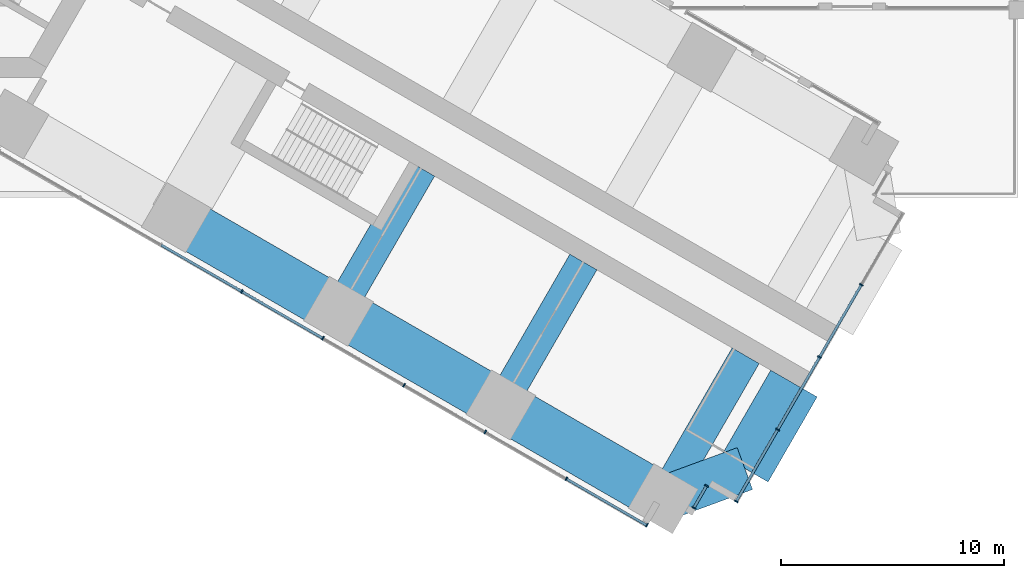
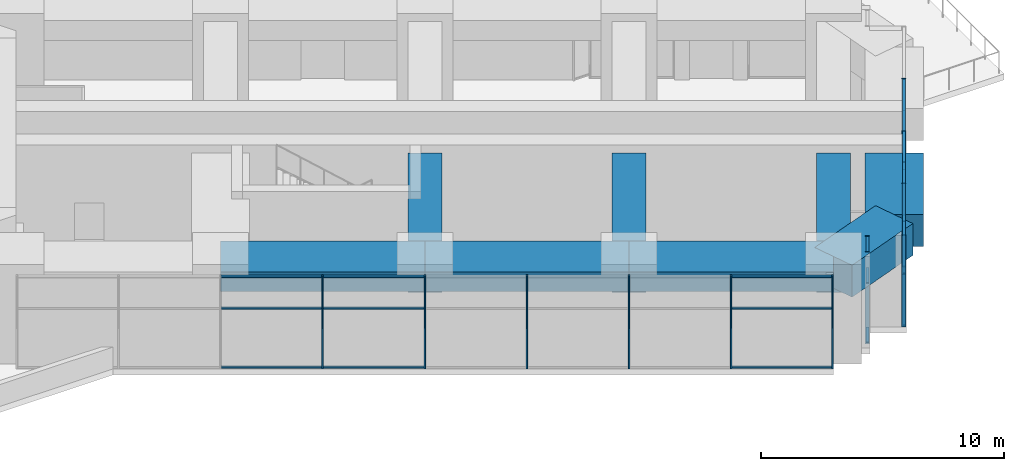
# One storey, part 11 of 33: 33 members, 8 beams, 3 elements without a shape of their own.
"""IFC4 building model written with IfcOpenShell, lengths in metres."""

from ifc_helpers import new_model, si_unit, direction, frame, origin, origin_2d, place, context, subcontext, project, spatial, rectangle, extrude, material, material_profile, profile_set, type_object, element, aggregate, save


model = new_model("IFC4")

# Units and contexts
model_context = context("Model", 3, precision=1e-05, world=origin(), true_north=direction((0.0, 1.0)))
body_context = subcontext(model_context, "Body", "Model", "MODEL_VIEW")
ifc_project = project(units=[si_unit("LENGTHUNIT", "METRE"), si_unit("AREAUNIT", "SQUARE_METRE"), si_unit("VOLUMEUNIT", "CUBIC_METRE"), si_unit("PLANEANGLEUNIT", "RADIAN"), si_unit("MASSUNIT", "GRAM", prefix="KILO")], contexts=[model_context])

# Site, building, storey
site_placement = place(None, origin())
site = spatial("IfcSite", under=ifc_project, at=site_placement, CompositionType="ELEMENT")
building_placement = place(site_placement, origin())
building = spatial("IfcBuilding", under=site, at=building_placement, Name="Impinga Residences", CompositionType="ELEMENT")
storey_placement = place(building_placement, frame((0.0, 0.0, 21.0)))
storey = spatial("IfcBuildingStorey", under=building, at=storey_placement, Name="L04", CompositionType="ELEMENT", Elevation=21.0)

# Beams
ifc_material_1 = material(Name="Concrete C60/75", Category="concrete")
ifc_material_profile_1 = material_profile(ifc_material_1, rectangle(XDim=2.0, YDim=1.60009765625, at=origin_2d()), Name="RC 2000x1600")
ifc_profile_set_1 = profile_set([ifc_material_profile_1], Name="Concrete C60/75")
beam_type_1 = type_object("IfcBeamType", Name="CB2 2000x1600 wing end cantilever beam", PredefinedType="BEAM", material=ifc_profile_set_1)
beam_1_placement = place(storey_placement, frame((34.49853515625, -30.31005859375, 3.800048828125), z_axis=(0.938520178725, 0.345224382289, 0.0), x_axis=(-0.345224382289, 0.938520178725, 0.0)))
element("IfcBeam", 1, at=beam_1_placement, inside=storey, type_object=beam_type_1, Name="Beam CB2 EE E5-EX level L05", PredefinedType="BEAM", context=body_context, shape_type="SweptSolid", body=[
    extrude(rectangle(XDim=2.0, YDim=1.60009765625, at=origin_2d()), origin(), (0.0, 0.0, 1.0), 3.905029296875),
])
ifc_material_profile_2 = material_profile(ifc_material_1, rectangle(XDim=1.39990234375, YDim=1.800048828125, at=origin_2d()), Name="RC 1400x1800")
ifc_profile_set_2 = profile_set([ifc_material_profile_2], Name="Concrete C60/75")
beam_type_2 = type_object("IfcBeamType", Name="CG4 1400x1800 cross girder on a wing bay line under the podium floors", PredefinedType="BEAM", material=ifc_profile_set_2)
beam_2_placement = place(storey_placement, frame((23.649169921875, -15.50146484375, 3.699951171875), z_axis=(-0.500003285667, -0.866023506795, 0.0), x_axis=(0.866023506795, -0.500003285667, 0.0)))
element("IfcBeam", 2, at=beam_2_placement, inside=storey, type_object=beam_type_2, Name="Beam CG4 E3 EC/EF level L05", PredefinedType="BEAM", context=body_context, shape_type="SweptSolid", body=[
    extrude(rectangle(XDim=1.39990234375, YDim=1.800048828125, at=origin_2d()), origin(), (0.0, 0.0, 1.0), 7.39990234375),
])
for number, where, z_axis, x_axis, name in (
    (3, (30.923828125, -19.701416015625, 3.699951171875), (-0.499988999718, -0.866031754707, 0.0), (0.866031754707, -0.499988999718, 0.0), "Beam CG4 E4 EC/EF level L05"),
    (4, (38.198486328125, -23.9013671875, 3.699951171875), (-0.499988999718, -0.866031754707, 0.0), (0.866031754707, -0.499988999718, 0.0), "Beam CG4 E5 EC/EF level L05"),
):
    element("IfcBeam", number, at=place(storey_placement, frame(where, z_axis=z_axis, x_axis=x_axis)), inside=storey, type_object=beam_type_2, Name=name, PredefinedType="BEAM", context=body_context, shape_type="SweptSolid", body=[
        extrude(rectangle(XDim=1.39990234375, YDim=1.800048828125, at=origin_2d()), origin(), (0.0, 0.0, 1.0), 7.400146484375),
    ])

# Curtain wall, members
ifc_material_2 = material(Name="Aluminium stick curtain wall", Category="aluminium")
curtain_wall_type = type_object("IfcCurtainWallType", Name="CW1 podium amenity curtain wall", PredefinedType="USERDEFINED", material=ifc_material_2)
curtain_wall_1_placement = place(storey_placement, origin())
curtain_wall_1 = element("IfcCurtainWall", 5, at=curtain_wall_1_placement, inside=storey, type_object=curtain_wall_type, Name="Curtain wall CW1 L04", ObjectType="STICK CURTAIN WALL", PredefinedType="USERDEFINED")
ifc_material_3 = material(Name="Aluminium mullion", Category="aluminium")
ifc_material_profile_3 = material_profile(ifc_material_3, rectangle(XDim=0.06005859375, YDim=0.179931640625, at=origin_2d()), Name="60x180 mullion")
ifc_profile_set_3 = profile_set([ifc_material_profile_3], Name="Aluminium mullion")
member_type_1 = type_object("IfcMemberType", Name="CW1-M mullion 60x180", PredefinedType="MULLION", material=ifc_profile_set_3)
member_1_placement = place(storey_placement, frame((43.385009765625, -20.71826171875, 0.0), z_axis=(0.0, 0.0, 1.0), x_axis=(-0.500000001632, -0.866025402842, 0.0)))
member_1 = element("IfcMember", 6, at=member_1_placement, type_object=member_type_1, Name="CW1 mullion 2", PredefinedType="MULLION", context=body_context, shape_type="SweptSolid", body=[
    extrude(rectangle(XDim=0.06005859375, YDim=0.179931640625, at=origin_2d()), origin(), (0.0, 0.0, 1.0), 4.60009765625),
])
member_2_placement = place(storey_placement, frame((41.510009765625, -23.9658203125, 0.0), z_axis=(0.0, 0.0, 1.0), x_axis=(-0.500000001632, -0.866025402842, 0.0)))
member_2 = element("IfcMember", 7, at=member_2_placement, type_object=member_type_1, Name="CW1 mullion 3", PredefinedType="MULLION", context=body_context, shape_type="SweptSolid", body=[
    extrude(rectangle(XDim=0.06005859375, YDim=0.179931640625, at=origin_2d()), origin(), (0.0, 0.0, 1.0), 4.60009765625),
])
member_3_placement = place(storey_placement, frame((39.635009765625, -27.21337890625, 0.0), z_axis=(0.0, 0.0, 1.0), x_axis=(-0.500000001632, -0.866025402842, 0.0)))
member_3 = element("IfcMember", 8, at=member_3_placement, type_object=member_type_1, Name="CW1 mullion 4", PredefinedType="MULLION", context=body_context, shape_type="SweptSolid", body=[
    extrude(rectangle(XDim=0.06005859375, YDim=0.179931640625, at=origin_2d()), origin(), (0.0, 0.0, 1.0), 4.60009765625),
])
member_4_placement = place(storey_placement, frame((37.77490234375, -30.43505859375, 0.0), z_axis=(0.0, 0.0, 1.0), x_axis=(-0.500000001632, -0.866025402842, 0.0)))
member_4 = element("IfcMember", 9, at=member_4_placement, type_object=member_type_1, Name="CW1 mullion 5", PredefinedType="MULLION", context=body_context, shape_type="SweptSolid", body=[
    extrude(rectangle(XDim=0.06005859375, YDim=0.179931640625, at=origin_2d()), origin(), (0.0, 0.0, 1.0), 4.60009765625),
])

curtain_wall_2_placement = place(storey_placement, origin())
curtain_wall_2 = element("IfcCurtainWall", 10, at=curtain_wall_2_placement, inside=storey, type_object=curtain_wall_type, Name="Curtain wall CW1 L04", ObjectType="STICK CURTAIN WALL", PredefinedType="USERDEFINED")
member_5_placement = place(storey_placement, frame((36.44580078125, -29.737060546875, 0.0), z_axis=(0.0, 0.0, 1.0), x_axis=(-0.499999813995, -0.866025511175, 0.0)))
member_5 = element("IfcMember", 11, at=member_5_placement, type_object=member_type_1, Name="CW1 mullion 1", PredefinedType="MULLION", context=body_context, shape_type="SweptSolid", body=[
    extrude(rectangle(XDim=0.06005859375, YDim=0.179931640625, at=origin_2d()), origin(), (0.0, 0.0, 1.0), 4.60009765625),
])
member_6_placement = place(storey_placement, frame((35.8759765625, -30.72412109375, 0.0), z_axis=(0.0, 0.0, 1.0), x_axis=(-0.499999813995, -0.866025511175, 0.0)))
member_6 = element("IfcMember", 12, at=member_6_placement, type_object=member_type_1, Name="CW1 mullion 2", PredefinedType="MULLION", context=body_context, shape_type="SweptSolid", body=[
    extrude(rectangle(XDim=0.06005859375, YDim=0.179931640625, at=origin_2d()), origin(), (0.0, 0.0, 1.0), 4.60009765625),
])

curtain_wall_3_placement = place(storey_placement, origin())
curtain_wall_3 = element("IfcCurtainWall", 13, at=curtain_wall_3_placement, inside=storey, type_object=curtain_wall_type, Name="Curtain wall CW1 L04", ObjectType="STICK CURTAIN WALL", PredefinedType="USERDEFINED")
member_7_placement = place(storey_placement, frame((33.7724609375, -31.50732421875, 0.0), z_axis=(0.0, 0.0, 1.0), x_axis=(-0.866025407005, 0.499999994423, 0.0)))
member_7 = element("IfcMember", 14, at=member_7_placement, type_object=member_type_1, Name="CW1 mullion 1", PredefinedType="MULLION", context=body_context, shape_type="SweptSolid", body=[
    extrude(rectangle(XDim=0.06005859375, YDim=0.179931640625, at=origin_2d()), origin(), (0.0, 0.0, 1.0), 4.60009765625),
])
member_8_placement = place(storey_placement, frame((30.1611328125, -29.42236328125, 0.0), z_axis=(0.0, 0.0, 1.0), x_axis=(-0.866025407005, 0.499999994423, 0.0)))
member_8 = element("IfcMember", 15, at=member_8_placement, type_object=member_type_1, Name="CW1 mullion 2", PredefinedType="MULLION", context=body_context, shape_type="SweptSolid", body=[
    extrude(rectangle(XDim=0.06005859375, YDim=0.179931640625, at=origin_2d()), origin(), (0.0, 0.0, 1.0), 4.60009765625),
])
member_9_placement = place(storey_placement, frame((26.52392578125, -27.322509765625, 0.0), z_axis=(0.0, 0.0, 1.0), x_axis=(-0.866025407005, 0.499999994423, 0.0)))
member_9 = element("IfcMember", 16, at=member_9_placement, type_object=member_type_1, Name="CW1 mullion 3", PredefinedType="MULLION", context=body_context, shape_type="SweptSolid", body=[
    extrude(rectangle(XDim=0.06005859375, YDim=0.179931640625, at=origin_2d()), origin(), (0.0, 0.0, 1.0), 4.60009765625),
])
member_10_placement = place(storey_placement, frame((22.886474609375, -25.222412109375, 0.0), z_axis=(0.0, 0.0, 1.0), x_axis=(-0.866025407005, 0.499999994423, 0.0)))
member_10 = element("IfcMember", 17, at=member_10_placement, type_object=member_type_1, Name="CW1 mullion 4", PredefinedType="MULLION", context=body_context, shape_type="SweptSolid", body=[
    extrude(rectangle(XDim=0.06005859375, YDim=0.179931640625, at=origin_2d()), origin(), (0.0, 0.0, 1.0), 4.60009765625),
])
member_11_placement = place(storey_placement, frame((19.249267578125, -23.122314453125, 0.0), z_axis=(0.0, 0.0, 1.0), x_axis=(-0.866025407005, 0.499999994423, 0.0)))
member_11 = element("IfcMember", 18, at=member_11_placement, type_object=member_type_1, Name="CW1 mullion 5", PredefinedType="MULLION", context=body_context, shape_type="SweptSolid", body=[
    extrude(rectangle(XDim=0.06005859375, YDim=0.179931640625, at=origin_2d()), origin(), (0.0, 0.0, 1.0), 4.60009765625),
])
member_12_placement = place(storey_placement, frame((15.61181640625, -21.0224609375, 0.0), z_axis=(0.0, 0.0, 1.0), x_axis=(-0.866025407005, 0.499999994423, 0.0)))
member_12 = element("IfcMember", 19, at=member_12_placement, type_object=member_type_1, Name="CW1 mullion 6", PredefinedType="MULLION", context=body_context, shape_type="SweptSolid", body=[
    extrude(rectangle(XDim=0.06005859375, YDim=0.179931640625, at=origin_2d()), origin(), (0.0, 0.0, 1.0), 4.60009765625),
])

# Member
ifc_material_4 = material(Name="Aluminium transom", Category="aluminium")
ifc_material_profile_4 = material_profile(ifc_material_4, rectangle(XDim=0.06005859375, YDim=0.1201171875, at=origin_2d()), Name="60x120 transom")
ifc_profile_set_4 = profile_set([ifc_material_profile_4], Name="Aluminium transom")
member_type_2 = type_object("IfcMemberType", Name="CW1-T transom 60x120", PredefinedType="USERDEFINED", material=ifc_profile_set_4)
member_13_placement = place(storey_placement, frame((43.369873046875, -20.744140625, 0.030029296875), z_axis=(-0.500003092839, -0.866023618125, 0.0), x_axis=(0.0, 0.0, 1.0)))
member_13 = element("IfcMember", 20, at=member_13_placement, type_object=member_type_2, Name="CW1 transom 2.1", ObjectType="TRANSOM", PredefinedType="USERDEFINED", context=body_context, shape_type="SweptSolid", body=[
    extrude(rectangle(XDim=0.06005859375, YDim=0.1201171875, at=origin_2d()), origin(), (0.0, 0.0, 1.0), 3.68994140625),
])

member_14_placement = place(storey_placement, frame((43.369873046875, -20.744140625, 3.0), z_axis=(-0.500003092839, -0.866023618125, 0.0), x_axis=(0.0, 0.0, 1.0)))
member_14 = element("IfcMember", 21, at=member_14_placement, type_object=member_type_2, Name="CW1 transom 2.2", ObjectType="TRANSOM", PredefinedType="USERDEFINED", context=body_context, shape_type="SweptSolid", body=[
    extrude(rectangle(XDim=0.06005859375, YDim=0.1201171875, at=origin_2d()), origin(), (0.0, 0.0, 1.0), 3.68994140625),
])

member_15_placement = place(storey_placement, frame((43.369873046875, -20.744140625, 4.570068359375), z_axis=(-0.500003092839, -0.866023618125, 0.0), x_axis=(0.0, 0.0, 1.0)))
member_15 = element("IfcMember", 22, at=member_15_placement, type_object=member_type_2, Name="CW1 transom 2.3", ObjectType="TRANSOM", PredefinedType="USERDEFINED", context=body_context, shape_type="SweptSolid", body=[
    extrude(rectangle(XDim=0.06005859375, YDim=0.1201171875, at=origin_2d()), origin(), (0.0, 0.0, 1.0), 3.68994140625),
])

member_16_placement = place(storey_placement, frame((41.494873046875, -23.99169921875, 0.030029296875), z_axis=(-0.499974444137, -0.866040157966, 0.0), x_axis=(0.0, 0.0, 1.0)))
member_16 = element("IfcMember", 23, at=member_16_placement, type_object=member_type_2, Name="CW1 transom 3.1", ObjectType="TRANSOM", PredefinedType="USERDEFINED", context=body_context, shape_type="SweptSolid", body=[
    extrude(rectangle(XDim=0.06005859375, YDim=0.1201171875, at=origin_2d()), origin(), (0.0, 0.0, 1.0), 3.690185546875),
])

member_17_placement = place(storey_placement, frame((41.494873046875, -23.99169921875, 3.0), z_axis=(-0.499974444137, -0.866040157966, 0.0), x_axis=(0.0, 0.0, 1.0)))
member_17 = element("IfcMember", 24, at=member_17_placement, type_object=member_type_2, Name="CW1 transom 3.2", ObjectType="TRANSOM", PredefinedType="USERDEFINED", context=body_context, shape_type="SweptSolid", body=[
    extrude(rectangle(XDim=0.06005859375, YDim=0.1201171875, at=origin_2d()), origin(), (0.0, 0.0, 1.0), 3.690185546875),
])

member_18_placement = place(storey_placement, frame((41.494873046875, -23.99169921875, 4.570068359375), z_axis=(-0.499974444137, -0.866040157966, 0.0), x_axis=(0.0, 0.0, 1.0)))
member_18 = element("IfcMember", 25, at=member_18_placement, type_object=member_type_2, Name="CW1 transom 3.3", ObjectType="TRANSOM", PredefinedType="USERDEFINED", context=body_context, shape_type="SweptSolid", body=[
    extrude(rectangle(XDim=0.06005859375, YDim=0.1201171875, at=origin_2d()), origin(), (0.0, 0.0, 1.0), 3.690185546875),
])

member_19_placement = place(storey_placement, frame((39.619873046875, -27.2392578125, 0.030029296875), z_axis=(-0.499963050397, -0.866046735597, 0.0), x_axis=(0.0, 0.0, 1.0)))
member_19 = element("IfcMember", 26, at=member_19_placement, type_object=member_type_2, Name="CW1 transom 4.1", ObjectType="TRANSOM", PredefinedType="USERDEFINED", context=body_context, shape_type="SweptSolid", body=[
    extrude(rectangle(XDim=0.06005859375, YDim=0.1201171875, at=origin_2d()), origin(), (0.0, 0.0, 1.0), 3.659912109375),
])

member_20_placement = place(storey_placement, frame((39.619873046875, -27.2392578125, 3.0), z_axis=(-0.499963050397, -0.866046735597, 0.0), x_axis=(0.0, 0.0, 1.0)))
member_20 = element("IfcMember", 27, at=member_20_placement, type_object=member_type_2, Name="CW1 transom 4.2", ObjectType="TRANSOM", PredefinedType="USERDEFINED", context=body_context, shape_type="SweptSolid", body=[
    extrude(rectangle(XDim=0.06005859375, YDim=0.1201171875, at=origin_2d()), origin(), (0.0, 0.0, 1.0), 3.659912109375),
])

member_21_placement = place(storey_placement, frame((39.619873046875, -27.2392578125, 4.570068359375), z_axis=(-0.499963050397, -0.866046735597, 0.0), x_axis=(0.0, 0.0, 1.0)))
member_21 = element("IfcMember", 28, at=member_21_placement, type_object=member_type_2, Name="CW1 transom 4.3", ObjectType="TRANSOM", PredefinedType="USERDEFINED", context=body_context, shape_type="SweptSolid", body=[
    extrude(rectangle(XDim=0.06005859375, YDim=0.1201171875, at=origin_2d()), origin(), (0.0, 0.0, 1.0), 3.659912109375),
])

aggregate(curtain_wall_1, [member_1, member_2, member_3, member_4, member_13, member_14, member_15, member_16, member_17, member_18, member_19, member_20, member_21])

member_22_placement = place(storey_placement, frame((36.430908203125, -29.762939453125, 0.030029296875), z_axis=(-0.500029011134, -0.866008653551, 0.0), x_axis=(0.0, 0.0, 1.0)))
member_22 = element("IfcMember", 29, at=member_22_placement, type_object=member_type_2, Name="CW1 transom 1.1", ObjectType="TRANSOM", PredefinedType="USERDEFINED", context=body_context, shape_type="SweptSolid", body=[
    extrude(rectangle(XDim=0.06005859375, YDim=0.1201171875, at=origin_2d()), origin(), (0.0, 0.0, 1.0), 1.080078125),
])

member_23_placement = place(storey_placement, frame((36.430908203125, -29.762939453125, 3.0), z_axis=(-0.500029011134, -0.866008653551, 0.0), x_axis=(0.0, 0.0, 1.0)))
member_23 = element("IfcMember", 30, at=member_23_placement, type_object=member_type_2, Name="CW1 transom 1.2", ObjectType="TRANSOM", PredefinedType="USERDEFINED", context=body_context, shape_type="SweptSolid", body=[
    extrude(rectangle(XDim=0.06005859375, YDim=0.1201171875, at=origin_2d()), origin(), (0.0, 0.0, 1.0), 1.080078125),
])

member_24_placement = place(storey_placement, frame((36.430908203125, -29.762939453125, 4.570068359375), z_axis=(-0.500029011134, -0.866008653551, 0.0), x_axis=(0.0, 0.0, 1.0)))
member_24 = element("IfcMember", 31, at=member_24_placement, type_object=member_type_2, Name="CW1 transom 1.3", ObjectType="TRANSOM", PredefinedType="USERDEFINED", context=body_context, shape_type="SweptSolid", body=[
    extrude(rectangle(XDim=0.06005859375, YDim=0.1201171875, at=origin_2d()), origin(), (0.0, 0.0, 1.0), 1.080078125),
])

aggregate(curtain_wall_2, [member_5, member_6, member_22, member_23, member_24])

member_25_placement = place(storey_placement, frame((33.74658203125, -31.492431640625, 0.030029296875), z_axis=(-0.866045128991, 0.499965833383, 0.0), x_axis=(0.0, 0.0, 1.0)))
member_25 = element("IfcMember", 32, at=member_25_placement, type_object=member_type_2, Name="CW1 transom 1.1", ObjectType="TRANSOM", PredefinedType="USERDEFINED", context=body_context, shape_type="SweptSolid", body=[
    extrude(rectangle(XDim=0.06005859375, YDim=0.1201171875, at=origin_2d()), origin(), (0.0, 0.0, 1.0), 4.110107421875),
])

member_26_placement = place(storey_placement, frame((33.74658203125, -31.492431640625, 3.0), z_axis=(-0.866045128991, 0.499965833383, 0.0), x_axis=(0.0, 0.0, 1.0)))
member_26 = element("IfcMember", 33, at=member_26_placement, type_object=member_type_2, Name="CW1 transom 1.2", ObjectType="TRANSOM", PredefinedType="USERDEFINED", context=body_context, shape_type="SweptSolid", body=[
    extrude(rectangle(XDim=0.06005859375, YDim=0.1201171875, at=origin_2d()), origin(), (0.0, 0.0, 1.0), 4.110107421875),
])

member_27_placement = place(storey_placement, frame((33.74658203125, -31.492431640625, 4.570068359375), z_axis=(-0.866045128991, 0.499965833383, 0.0), x_axis=(0.0, 0.0, 1.0)))
member_27 = element("IfcMember", 34, at=member_27_placement, type_object=member_type_2, Name="CW1 transom 1.3", ObjectType="TRANSOM", PredefinedType="USERDEFINED", context=body_context, shape_type="SweptSolid", body=[
    extrude(rectangle(XDim=0.06005859375, YDim=0.1201171875, at=origin_2d()), origin(), (0.0, 0.0, 1.0), 4.110107421875),
])

member_28_placement = place(storey_placement, frame((19.22314453125, -23.107421875, 0.030029296875), z_axis=(-0.866009793405, 0.500027036996, 0.0), x_axis=(0.0, 0.0, 1.0)))
member_28 = element("IfcMember", 35, at=member_28_placement, type_object=member_type_2, Name="CW1 transom 5.1", ObjectType="TRANSOM", PredefinedType="USERDEFINED", context=body_context, shape_type="SweptSolid", body=[
    extrude(rectangle(XDim=0.06005859375, YDim=0.1201171875, at=origin_2d()), origin(), (0.0, 0.0, 1.0), 4.139892578125),
])

member_29_placement = place(storey_placement, frame((19.22314453125, -23.107421875, 3.0), z_axis=(-0.866009793405, 0.500027036996, 0.0), x_axis=(0.0, 0.0, 1.0)))
member_29 = element("IfcMember", 36, at=member_29_placement, type_object=member_type_2, Name="CW1 transom 5.2", ObjectType="TRANSOM", PredefinedType="USERDEFINED", context=body_context, shape_type="SweptSolid", body=[
    extrude(rectangle(XDim=0.06005859375, YDim=0.1201171875, at=origin_2d()), origin(), (0.0, 0.0, 1.0), 4.139892578125),
])

member_30_placement = place(storey_placement, frame((19.22314453125, -23.107421875, 4.570068359375), z_axis=(-0.866009793405, 0.500027036996, 0.0), x_axis=(0.0, 0.0, 1.0)))
member_30 = element("IfcMember", 37, at=member_30_placement, type_object=member_type_2, Name="CW1 transom 5.3", ObjectType="TRANSOM", PredefinedType="USERDEFINED", context=body_context, shape_type="SweptSolid", body=[
    extrude(rectangle(XDim=0.06005859375, YDim=0.1201171875, at=origin_2d()), origin(), (0.0, 0.0, 1.0), 4.139892578125),
])

member_31_placement = place(storey_placement, frame((15.5859375, -21.00732421875, 0.030029296875), z_axis=(-0.866050071143, 0.499957272447, 0.0), x_axis=(0.0, 0.0, 1.0)))
member_31 = element("IfcMember", 38, at=member_31_placement, type_object=member_type_2, Name="CW1 transom 6.1", ObjectType="TRANSOM", PredefinedType="USERDEFINED", context=body_context, shape_type="SweptSolid", body=[
    extrude(rectangle(XDim=0.06005859375, YDim=0.1201171875, at=origin_2d()), origin(), (0.0, 0.0, 1.0), 4.139892578125),
])

member_32_placement = place(storey_placement, frame((15.5859375, -21.00732421875, 3.0), z_axis=(-0.866050071143, 0.499957272447, 0.0), x_axis=(0.0, 0.0, 1.0)))
member_32 = element("IfcMember", 39, at=member_32_placement, type_object=member_type_2, Name="CW1 transom 6.2", ObjectType="TRANSOM", PredefinedType="USERDEFINED", context=body_context, shape_type="SweptSolid", body=[
    extrude(rectangle(XDim=0.06005859375, YDim=0.1201171875, at=origin_2d()), origin(), (0.0, 0.0, 1.0), 4.139892578125),
])

member_33_placement = place(storey_placement, frame((15.5859375, -21.00732421875, 4.570068359375), z_axis=(-0.866050071143, 0.499957272447, 0.0), x_axis=(0.0, 0.0, 1.0)))
member_33 = element("IfcMember", 40, at=member_33_placement, type_object=member_type_2, Name="CW1 transom 6.3", ObjectType="TRANSOM", PredefinedType="USERDEFINED", context=body_context, shape_type="SweptSolid", body=[
    extrude(rectangle(XDim=0.06005859375, YDim=0.1201171875, at=origin_2d()), origin(), (0.0, 0.0, 1.0), 4.139892578125),
])

aggregate(curtain_wall_3, [member_7, member_8, member_9, member_10, member_11, member_12, member_25, member_26, member_27, member_28, member_29, member_30, member_31, member_32, member_33])

# Beams
ifc_material_profile_5 = material_profile(ifc_material_1, rectangle(XDim=2.39990234375, YDim=1.60009765625, at=origin_2d()), Name="RC 2400x1600")
ifc_profile_set_5 = profile_set([ifc_material_profile_5], Name="Concrete C60/75")
beam_type_3 = type_object("IfcBeamType", Name="EB2 2400x1600 wing end beam", PredefinedType="BEAM", material=ifc_profile_set_5)
beam_3_placement = place(storey_placement, frame((40.363525390625, -25.1513671875, 3.800048828125), z_axis=(-0.499988222896, -0.866032203192, 0.0), x_axis=(0.866032203192, -0.499988222896, 0.0)))
element("IfcBeam", 41, at=beam_3_placement, inside=storey, type_object=beam_type_3, Name="Beam EB2 EX4 level L05", PredefinedType="BEAM", context=body_context, shape_type="SweptSolid", body=[
    extrude(rectangle(XDim=2.39990234375, YDim=1.60009765625, at=origin_2d()), origin(), (0.0, 0.0, 1.0), 4.39990234375),
])
ifc_material_profile_6 = material_profile(ifc_material_1, rectangle(XDim=2.199951171875, YDim=1.0, at=origin_2d()), Name="RC 2200x1000")
ifc_profile_set_6 = profile_set([ifc_material_profile_6], Name="Concrete C60/75")
beam_type_4 = type_object("IfcBeamType", Name="PB3 2200x1000 podium band beam", PredefinedType="BEAM", material=ifc_profile_set_6)
beam_4_placement = place(storey_placement, frame((12.674560546875, -17.7099609375, 4.10009765625), z_axis=(0.86602925447, -0.499993330357, 0.0), x_axis=(0.499993330357, 0.86602925447, 0.0)))
element("IfcBeam", 42, at=beam_4_placement, inside=storey, type_object=beam_type_4, Name="Beam PB3 EF E2-E3 level L05", PredefinedType="BEAM", context=body_context, shape_type="SweptSolid", body=[
    extrude(rectangle(XDim=2.199951171875, YDim=1.0, at=origin_2d()), origin(), (0.0, 0.0, 1.0), 8.39990234375),
])
beam_5_placement = place(storey_placement, frame((19.94921875, -21.909912109375, 4.10009765625), z_axis=(0.866016669275, -0.500015128309, 0.0), x_axis=(0.500015128309, 0.866016669275, 0.0)))
element("IfcBeam", 43, at=beam_5_placement, inside=storey, type_object=beam_type_4, Name="Beam PB3 EF E3-E4 level L05", PredefinedType="BEAM", context=body_context, shape_type="SweptSolid", body=[
    extrude(rectangle(XDim=2.199951171875, YDim=1.0, at=origin_2d()), origin(), (0.0, 0.0, 1.0), 8.400146484375),
])
beam_6_placement = place(storey_placement, frame((27.223876953125, -26.110107421875, 4.10009765625), z_axis=(0.86602925447, -0.499993330357, 0.0), x_axis=(0.499993330357, 0.86602925447, 0.0)))
element("IfcBeam", 44, at=beam_6_placement, inside=storey, type_object=beam_type_4, Name="Beam PB3 EF E4-E5 level L05", PredefinedType="BEAM", context=body_context, shape_type="SweptSolid", body=[
    extrude(rectangle(XDim=2.199951171875, YDim=1.0, at=origin_2d()), origin(), (0.0, 0.0, 1.0), 8.39990234375),
])

save(model, "model.ifc")
